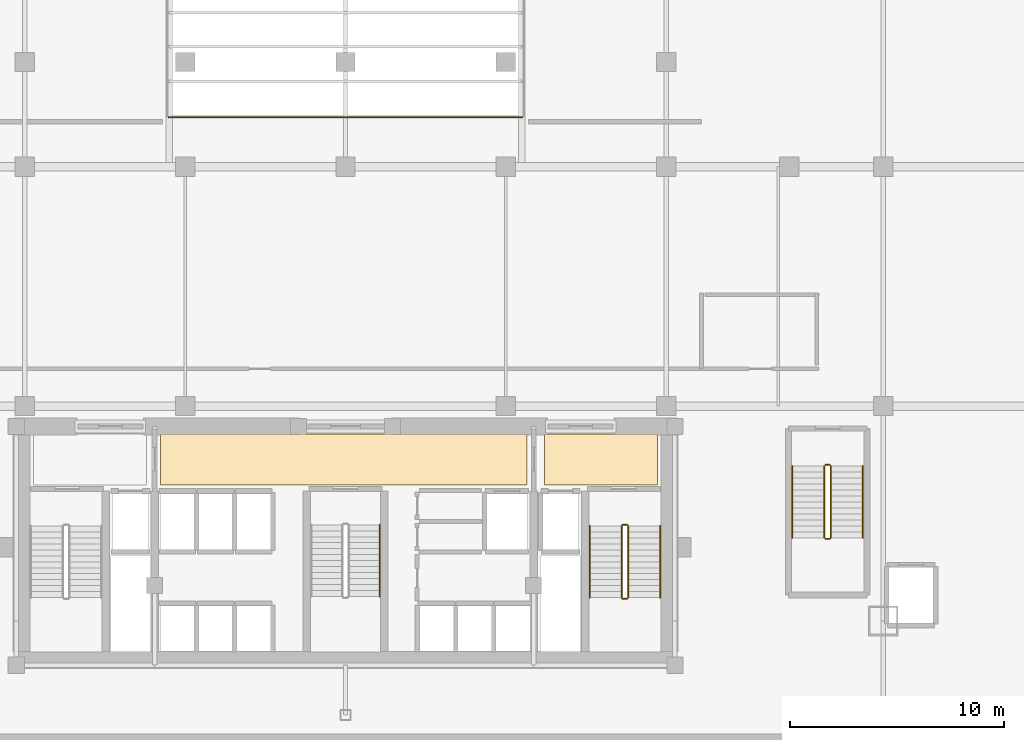
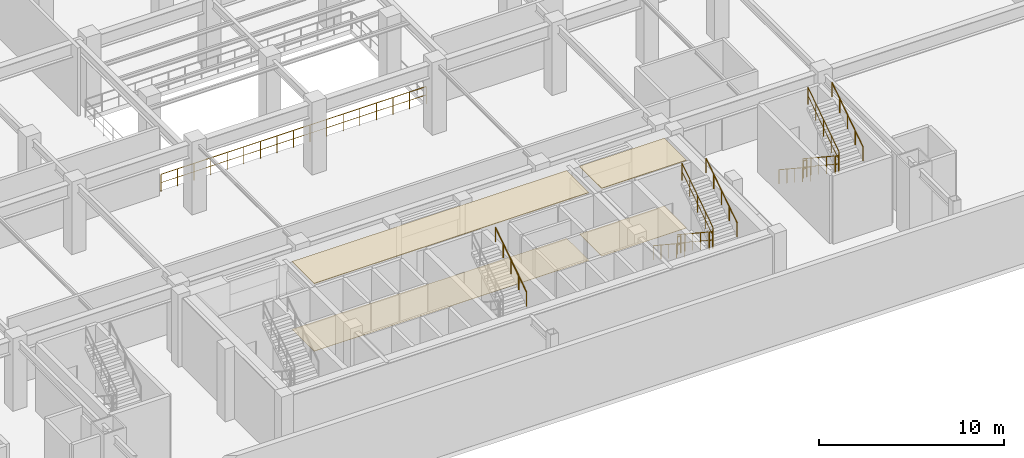
# One storey, part 9 of 10: 14 railings, 4 coverings.
"""IFC4 building model written with IfcOpenShell, lengths in metres."""

from ifc_helpers import new_model, si_unit, direction, frame, origin, origin_2d, place, context, subcontext, project, spatial, polyline, circle, outline, extrude, material, layer, layer_set, type_object, element, save


model = new_model("IFC4")

# Units and contexts
model_context = context("Model", 3, precision=1e-05, world=origin(), true_north=direction((0.0, 1.0)))
body_context = subcontext(model_context, "Body", "Model", "MODEL_VIEW")
ifc_project = project(units=[si_unit("LENGTHUNIT", "METRE"), si_unit("AREAUNIT", "SQUARE_METRE"), si_unit("VOLUMEUNIT", "CUBIC_METRE"), si_unit("PLANEANGLEUNIT", "RADIAN"), si_unit("MASSUNIT", "GRAM", prefix="KILO")], contexts=[model_context])

# Site, building, storey
site_placement = place(None, origin())
site = spatial("IfcSite", under=ifc_project, at=site_placement, CompositionType="ELEMENT")
building_placement = place(site_placement, origin())
building = spatial("IfcBuilding", under=site, at=building_placement, Name="Ventersveld Concourse Tower", CompositionType="ELEMENT")
storey_placement = place(building_placement, frame((0.0, 0.0, 15.0)))
storey = spatial("IfcBuildingStorey", under=building, at=storey_placement, Name="L03", CompositionType="ELEMENT", Elevation=15.0)

# Coverings
ifc_material_1 = material(Name="Mineral-fibre acoustic ceiling tile", Category="gypsum")
ifc_layer_1 = layer(ifc_material_1, 0.0400390625)
ifc_layer_set_1 = layer_set([ifc_layer_1], Name="Mineral-fibre acoustic ceiling tile")
covering_type_1 = type_object("IfcCoveringType", Name="COV-CEIL-ACOUSTIC", PredefinedType="CEILING", material=ifc_layer_set_1)
covering_1_placement = place(storey_placement, frame((0.0, 0.0, 4.4599609375)))
element("IfcCovering", 1, at=covering_1_placement, inside=storey, type_object=covering_type_1, Name="L03 North Lift Lobby Acoustic Ceiling", PredefinedType="CEILING", context=body_context, shape_type="SweptSolid", body=[
    extrude(outline(polyline([(20.10009765625, 8.699951171875), (37.25, 8.699951171875), (37.25, 11.10009765625), (20.10009765625, 11.10009765625), (20.10009765625, 8.699951171875)])), origin(), (0.0, 0.0, 1.0), 0.0400390625),
])
covering_2_placement = place(storey_placement, frame((0.0, 0.0, 4.4599609375)))
element("IfcCovering", 2, at=covering_2_placement, inside=storey, type_object=covering_type_1, Name="L03 East Firefighting Lobby Acoustic Ceiling", PredefinedType="CEILING", context=body_context, shape_type="SweptSolid", body=[
    extrude(outline(polyline([(38.050048828125, 8.699951171875), (43.35009765625, 8.699951171875), (43.35009765625, 11.10009765625), (38.050048828125, 11.10009765625), (38.050048828125, 8.699951171875)])), origin(), (0.0, 0.0, 1.0), 0.0400390625),
])
ifc_material_2 = material(Name="Polished Highveld granite terrazzo", Category="masonry")
ifc_layer_2 = layer(ifc_material_2, 0.02001953125)
ifc_layer_set_2 = layer_set([ifc_layer_2], Name="Polished Highveld granite terrazzo")
covering_type_2 = type_object("IfcCoveringType", Name="COV-FLOOR-TERRAZZO", PredefinedType="FLOORING", material=ifc_layer_set_2)
covering_3_placement = place(storey_placement, origin())
element("IfcCovering", 3, at=covering_3_placement, inside=storey, type_object=covering_type_2, Name="L03 North Lift Lobby Terrazzo Flooring", PredefinedType="FLOORING", context=body_context, shape_type="SweptSolid", body=[
    extrude(outline(polyline([(20.10009765625, 8.699951171875), (37.25, 8.699951171875), (37.25, 11.10009765625), (20.10009765625, 11.10009765625), (20.10009765625, 8.699951171875)])), origin(), (0.0, 0.0, 1.0), 0.02001953125),
])
covering_4_placement = place(storey_placement, origin())
element("IfcCovering", 4, at=covering_4_placement, inside=storey, type_object=covering_type_2, Name="L03 East Firefighting Lobby Terrazzo Flooring", PredefinedType="FLOORING", context=body_context, shape_type="SweptSolid", body=[
    extrude(outline(polyline([(38.050048828125, 8.699951171875), (43.35009765625, 8.699951171875), (43.35009765625, 11.10009765625), (38.050048828125, 11.10009765625), (38.050048828125, 8.699951171875)])), origin(), (0.0, 0.0, 1.0), 0.02001953125),
])

# Railings
ifc_material_3 = material(Name="Brushed stainless steel 316", Category="steel")
railing_type_1 = type_object("IfcRailingType", Name="GD-BAL-115", PredefinedType="GUARDRAIL", material=ifc_material_3)
railing_1_placement = place(storey_placement, frame((41.669921875, 6.800048828125, 0.1845703125)))
element("IfcRailing", 5, at=railing_1_placement, inside=storey, type_object=railing_type_1, Name="L03 ST-02 stair guard 1", PredefinedType="GUARDRAIL", context=body_context, shape_type="SweptSolid", body=[
    extrude(circle(Radius=0.02392578125, at=origin_2d()), frame((0.0, 0.0, 1.1259765625), z_axis=(0.0, -0.834876476806, 0.550437342915), x_axis=(1.0, 0.0, 0.0)), (0.0, 0.0, 1.0), 4.024658203125),
    extrude(circle(Radius=0.01611328125, at=origin_2d()), frame((0.0, 0.0, 0.574951171875), z_axis=(0.0, -0.834876476806, 0.550437342915), x_axis=(1.0, 0.0, 0.0)), (0.0, 0.0, 1.0), 4.024658203125),
    extrude(circle(Radius=0.02099609375, at=origin_2d()), origin(), (0.0, 0.0, 1.0), 1.101806640625),
    extrude(circle(Radius=0.02099609375, at=origin_2d()), frame((0.0, -0.840087890625, 0.5537109375)), (0.0, 0.0, 1.0), 1.101806640625),
    extrude(circle(Radius=0.02099609375, at=origin_2d()), frame((0.0, -1.68017578125, 1.107666015625)), (0.0, 0.0, 1.0), 1.101806640625),
    extrude(circle(Radius=0.02099609375, at=origin_2d()), frame((0.0, -2.52001953125, 1.66162109375)), (0.0, 0.0, 1.0), 1.101806640625),
    extrude(circle(Radius=0.02099609375, at=origin_2d()), frame((0.0, -3.360107421875, 2.21533203125)), (0.0, 0.0, 1.0), 1.101806640625),
])
railing_2_placement = place(storey_placement, frame((41.719970703125, 3.389892578125, 2.39990234375)))
element("IfcRailing", 6, at=railing_2_placement, inside=storey, type_object=railing_type_1, Name="L03 ST-02 stair guard 2", PredefinedType="GUARDRAIL", context=body_context, shape_type="SweptSolid", body=[
    extrude(circle(Radius=0.02392578125, at=origin_2d()), frame((0.0, 0.0, 1.1259765625), z_axis=(1.0, 0.0, 0.0), x_axis=(0.0, 1.0, 0.0)), (0.0, 0.0, 1.0), 0.199951171875),
    extrude(circle(Radius=0.01611328125, at=origin_2d()), frame((0.0, 0.0, 0.574951171875), z_axis=(1.0, 0.0, 0.0), x_axis=(0.0, 1.0, 0.0)), (0.0, 0.0, 1.0), 0.199951171875),
    extrude(circle(Radius=0.02099609375, at=origin_2d()), origin(), (0.0, 0.0, 1.0), 1.101806640625),
    extrude(circle(Radius=0.02099609375, at=origin_2d()), frame((0.199951171875, 0.0, 0.0)), (0.0, 0.0, 1.0), 1.101806640625),
])
railing_3_placement = place(storey_placement, frame((41.969970703125, 3.43994140625, 2.584716796875)))
element("IfcRailing", 7, at=railing_3_placement, inside=storey, type_object=railing_type_1, Name="L03 ST-02 stair guard 3", PredefinedType="GUARDRAIL", context=body_context, shape_type="SweptSolid", body=[
    extrude(circle(Radius=0.02392578125, at=origin_2d()), frame((0.0, 0.0, 1.1259765625), z_axis=(0.0, 0.834876476806, 0.550437342915), x_axis=(-1.0, 0.0, 0.0)), (0.0, 0.0, 1.0), 4.024658203125),
    extrude(circle(Radius=0.01611328125, at=origin_2d()), frame((0.0, 0.0, 0.574951171875), z_axis=(0.0, 0.834876476806, 0.550437342915), x_axis=(-1.0, 0.0, 0.0)), (0.0, 0.0, 1.0), 4.024658203125),
    extrude(circle(Radius=0.02099609375, at=origin_2d()), origin(), (0.0, 0.0, 1.0), 1.101806640625),
    extrude(circle(Radius=0.02099609375, at=origin_2d()), frame((0.0, 0.840087890625, 0.5537109375)), (0.0, 0.0, 1.0), 1.101806640625),
    extrude(circle(Radius=0.02099609375, at=origin_2d()), frame((0.0, 1.68017578125, 1.107666015625)), (0.0, 0.0, 1.0), 1.101806640625),
    extrude(circle(Radius=0.02099609375, at=origin_2d()), frame((0.0, 2.52001953125, 1.66162109375)), (0.0, 0.0, 1.0), 1.101806640625),
    extrude(circle(Radius=0.02099609375, at=origin_2d()), frame((0.0, 3.360107421875, 2.21533203125)), (0.0, 0.0, 1.0), 1.101806640625),
])
railing_4_placement = place(storey_placement, frame((41.719970703125, 6.85009765625, 0.0)))
element("IfcRailing", 8, at=railing_4_placement, inside=storey, type_object=railing_type_1, Name="L03 ST-02 stair guard 4", PredefinedType="GUARDRAIL", context=body_context, shape_type="SweptSolid", body=[
    extrude(circle(Radius=0.02392578125, at=origin_2d()), frame((0.0, 0.0, 1.1259765625), z_axis=(1.0, 0.0, 0.0), x_axis=(0.0, 1.0, 0.0)), (0.0, 0.0, 1.0), 0.199951171875),
    extrude(circle(Radius=0.01611328125, at=origin_2d()), frame((0.0, 0.0, 0.574951171875), z_axis=(1.0, 0.0, 0.0), x_axis=(0.0, 1.0, 0.0)), (0.0, 0.0, 1.0), 0.199951171875),
    extrude(circle(Radius=0.02099609375, at=origin_2d()), origin(), (0.0, 0.0, 1.0), 1.101806640625),
    extrude(circle(Radius=0.02099609375, at=origin_2d()), frame((0.199951171875, 0.0, 0.0)), (0.0, 0.0, 1.0), 1.101806640625),
])
railing_5_placement = place(storey_placement, frame((51.14990234375, 9.60009765625, 0.1845703125)))
element("IfcRailing", 9, at=railing_5_placement, inside=storey, type_object=railing_type_1, Name="L03 ST-05 stair guard 1", PredefinedType="GUARDRAIL", context=body_context, shape_type="SweptSolid", body=[
    extrude(circle(Radius=0.02392578125, at=origin_2d()), frame((0.0, 0.0, 1.1259765625), z_axis=(0.0, -0.834876476806, 0.550437342915), x_axis=(1.0, 0.0, 0.0)), (0.0, 0.0, 1.0), 4.024658203125),
    extrude(circle(Radius=0.01611328125, at=origin_2d()), frame((0.0, 0.0, 0.574951171875), z_axis=(0.0, -0.834876476806, 0.550437342915), x_axis=(1.0, 0.0, 0.0)), (0.0, 0.0, 1.0), 4.024658203125),
    extrude(circle(Radius=0.02099609375, at=origin_2d()), origin(), (0.0, 0.0, 1.0), 1.101806640625),
    extrude(circle(Radius=0.02099609375, at=origin_2d()), frame((0.0, -0.840087890625, 0.5537109375)), (0.0, 0.0, 1.0), 1.101806640625),
    extrude(circle(Radius=0.02099609375, at=origin_2d()), frame((0.0, -1.68017578125, 1.107666015625)), (0.0, 0.0, 1.0), 1.101806640625),
    extrude(circle(Radius=0.02099609375, at=origin_2d()), frame((0.0, -2.52001953125, 1.66162109375)), (0.0, 0.0, 1.0), 1.101806640625),
    extrude(circle(Radius=0.02099609375, at=origin_2d()), frame((0.0, -3.360107421875, 2.21533203125)), (0.0, 0.0, 1.0), 1.101806640625),
])
railing_6_placement = place(storey_placement, frame((51.199951171875, 6.18994140625, 2.39990234375)))
element("IfcRailing", 10, at=railing_6_placement, inside=storey, type_object=railing_type_1, Name="L03 ST-05 stair guard 2", PredefinedType="GUARDRAIL", context=body_context, shape_type="SweptSolid", body=[
    extrude(circle(Radius=0.02392578125, at=origin_2d()), frame((0.0, 0.0, 1.1259765625), z_axis=(1.0, 0.0, 0.0), x_axis=(0.0, 1.0, 0.0)), (0.0, 0.0, 1.0), 0.199951171875),
    extrude(circle(Radius=0.01611328125, at=origin_2d()), frame((0.0, 0.0, 0.574951171875), z_axis=(1.0, 0.0, 0.0), x_axis=(0.0, 1.0, 0.0)), (0.0, 0.0, 1.0), 0.199951171875),
    extrude(circle(Radius=0.02099609375, at=origin_2d()), origin(), (0.0, 0.0, 1.0), 1.101806640625),
    extrude(circle(Radius=0.02099609375, at=origin_2d()), frame((0.199951171875, 0.0, 0.0)), (0.0, 0.0, 1.0), 1.101806640625),
])
railing_7_placement = place(storey_placement, frame((51.449951171875, 6.239990234375, 2.584716796875)))
element("IfcRailing", 11, at=railing_7_placement, inside=storey, type_object=railing_type_1, Name="L03 ST-05 stair guard 3", PredefinedType="GUARDRAIL", context=body_context, shape_type="SweptSolid", body=[
    extrude(circle(Radius=0.02392578125, at=origin_2d()), frame((0.0, 0.0, 1.1259765625), z_axis=(0.0, 0.834876476806, 0.550437342915), x_axis=(-1.0, 0.0, 0.0)), (0.0, 0.0, 1.0), 4.024658203125),
    extrude(circle(Radius=0.01611328125, at=origin_2d()), frame((0.0, 0.0, 0.574951171875), z_axis=(0.0, 0.834876476806, 0.550437342915), x_axis=(-1.0, 0.0, 0.0)), (0.0, 0.0, 1.0), 4.024658203125),
    extrude(circle(Radius=0.02099609375, at=origin_2d()), origin(), (0.0, 0.0, 1.0), 1.101806640625),
    extrude(circle(Radius=0.02099609375, at=origin_2d()), frame((0.0, 0.840087890625, 0.5537109375)), (0.0, 0.0, 1.0), 1.101806640625),
    extrude(circle(Radius=0.02099609375, at=origin_2d()), frame((0.0, 1.68017578125, 1.107666015625)), (0.0, 0.0, 1.0), 1.101806640625),
    extrude(circle(Radius=0.02099609375, at=origin_2d()), frame((0.0, 2.52001953125, 1.66162109375)), (0.0, 0.0, 1.0), 1.101806640625),
    extrude(circle(Radius=0.02099609375, at=origin_2d()), frame((0.0, 3.360107421875, 2.21533203125)), (0.0, 0.0, 1.0), 1.101806640625),
])
railing_8_placement = place(storey_placement, frame((51.199951171875, 9.64990234375, 0.0)))
element("IfcRailing", 12, at=railing_8_placement, inside=storey, type_object=railing_type_1, Name="L03 ST-05 stair guard 4", PredefinedType="GUARDRAIL", context=body_context, shape_type="SweptSolid", body=[
    extrude(circle(Radius=0.02392578125, at=origin_2d()), frame((0.0, 0.0, 1.1259765625), z_axis=(1.0, 0.0, 0.0), x_axis=(0.0, 1.0, 0.0)), (0.0, 0.0, 1.0), 0.199951171875),
    extrude(circle(Radius=0.01611328125, at=origin_2d()), frame((0.0, 0.0, 0.574951171875), z_axis=(1.0, 0.0, 0.0), x_axis=(0.0, 1.0, 0.0)), (0.0, 0.0, 1.0), 0.199951171875),
    extrude(circle(Radius=0.02099609375, at=origin_2d()), origin(), (0.0, 0.0, 1.0), 1.101806640625),
    extrude(circle(Radius=0.02099609375, at=origin_2d()), frame((0.199951171875, 0.0, 0.0)), (0.0, 0.0, 1.0), 1.101806640625),
])
railing_9_placement = place(storey_placement, frame((20.469970703125, 25.919921875, 0.0)))
element("IfcRailing", 13, at=railing_9_placement, inside=storey, type_object=railing_type_1, Name="L03 Podium Concourse Atrium Guardrail S", PredefinedType="GUARDRAIL", context=body_context, shape_type="SweptSolid", body=[
    extrude(circle(Radius=0.02392578125, at=origin_2d()), frame((0.0, 0.0, 1.1259765625), z_axis=(1.0, 0.0, 0.0), x_axis=(0.0, 1.0, 0.0)), (0.0, 0.0, 1.0), 16.56005859375),
    extrude(circle(Radius=0.01611328125, at=origin_2d()), frame((0.0, 0.0, 0.574951171875), z_axis=(1.0, 0.0, 0.0), x_axis=(0.0, 1.0, 0.0)), (0.0, 0.0, 1.0), 16.56005859375),
    extrude(circle(Radius=0.02099609375, at=origin_2d()), origin(), (0.0, 0.0, 1.0), 1.101806640625),
    extrude(circle(Radius=0.02099609375, at=origin_2d()), frame((1.034912109375, 0.0, 0.0)), (0.0, 0.0, 1.0), 1.101806640625),
    extrude(circle(Radius=0.02099609375, at=origin_2d()), frame((2.070068359375, 0.0, 0.0)), (0.0, 0.0, 1.0), 1.101806640625),
    extrude(circle(Radius=0.02099609375, at=origin_2d()), frame((3.10498046875, 0.0, 0.0)), (0.0, 0.0, 1.0), 1.101806640625),
    extrude(circle(Radius=0.02099609375, at=origin_2d()), frame((4.14013671875, 0.0, 0.0)), (0.0, 0.0, 1.0), 1.101806640625),
    extrude(circle(Radius=0.02099609375, at=origin_2d()), frame((5.175048828125, 0.0, 0.0)), (0.0, 0.0, 1.0), 1.101806640625),
    extrude(circle(Radius=0.02099609375, at=origin_2d()), frame((6.2099609375, 0.0, 0.0)), (0.0, 0.0, 1.0), 1.101806640625),
    extrude(circle(Radius=0.02099609375, at=origin_2d()), frame((7.2451171875, 0.0, 0.0)), (0.0, 0.0, 1.0), 1.101806640625),
    extrude(circle(Radius=0.02099609375, at=origin_2d()), frame((8.280029296875, 0.0, 0.0)), (0.0, 0.0, 1.0), 1.101806640625),
    extrude(circle(Radius=0.02099609375, at=origin_2d()), frame((9.31494140625, 0.0, 0.0)), (0.0, 0.0, 1.0), 1.101806640625),
    extrude(circle(Radius=0.02099609375, at=origin_2d()), frame((10.35009765625, 0.0, 0.0)), (0.0, 0.0, 1.0), 1.101806640625),
    extrude(circle(Radius=0.02099609375, at=origin_2d()), frame((11.385009765625, 0.0, 0.0)), (0.0, 0.0, 1.0), 1.101806640625),
    extrude(circle(Radius=0.02099609375, at=origin_2d()), frame((12.419921875, 0.0, 0.0)), (0.0, 0.0, 1.0), 1.101806640625),
    extrude(circle(Radius=0.02099609375, at=origin_2d()), frame((13.455078125, 0.0, 0.0)), (0.0, 0.0, 1.0), 1.101806640625),
    extrude(circle(Radius=0.02099609375, at=origin_2d()), frame((14.489990234375, 0.0, 0.0)), (0.0, 0.0, 1.0), 1.101806640625),
    extrude(circle(Radius=0.02099609375, at=origin_2d()), frame((15.525146484375, 0.0, 0.0)), (0.0, 0.0, 1.0), 1.101806640625),
    extrude(circle(Radius=0.02099609375, at=origin_2d()), frame((16.56005859375, 0.0, 0.0)), (0.0, 0.0, 1.0), 1.101806640625),
])
railing_type_2 = type_object("IfcRailingType", Name="HR-RMP-095", PredefinedType="HANDRAIL", material=ifc_material_3)
railing_10_placement = place(storey_placement, frame((40.169921875, 6.800048828125, 0.1845703125)))
element("IfcRailing", 14, at=railing_10_placement, inside=storey, type_object=railing_type_2, Name="L03 ST-02 stair handrail 1", PredefinedType="HANDRAIL", context=body_context, shape_type="SweptSolid", body=[
    extrude(circle(Radius=0.02392578125, at=origin_2d()), frame((0.0, 0.0, 0.92578125), z_axis=(0.0, -0.834876476806, 0.550437342915), x_axis=(1.0, 0.0, 0.0)), (0.0, 0.0, 1.0), 4.024658203125),
    extrude(circle(Radius=0.02099609375, at=origin_2d()), origin(), (0.0, 0.0, 1.0), 0.90185546875),
    extrude(circle(Radius=0.02099609375, at=origin_2d()), frame((0.0, -0.840087890625, 0.5537109375)), (0.0, 0.0, 1.0), 0.90185546875),
    extrude(circle(Radius=0.02099609375, at=origin_2d()), frame((0.0, -1.68017578125, 1.107666015625)), (0.0, 0.0, 1.0), 0.90185546875),
    extrude(circle(Radius=0.02099609375, at=origin_2d()), frame((0.0, -2.52001953125, 1.66162109375)), (0.0, 0.0, 1.0), 0.90185546875),
    extrude(circle(Radius=0.02099609375, at=origin_2d()), frame((0.0, -3.360107421875, 2.21533203125)), (0.0, 0.0, 1.0), 0.90185546875),
])
for number, where, name in (
    (15, (43.469970703125, 3.43994140625, 2.584716796875), "L03 ST-02 stair handrail 2"),
    (16, (30.35009765625, 3.489990234375, 2.584716796875), "L03 ST-03 stair handrail 2"),
):
    element("IfcRailing", number, at=place(storey_placement, frame(where)), inside=storey, type_object=railing_type_2, Name=name, PredefinedType="HANDRAIL", context=body_context, shape_type="SweptSolid", body=[
        extrude(circle(Radius=0.02392578125, at=origin_2d()), frame((0.0, 0.0, 0.92578125), z_axis=(0.0, 0.834876476806, 0.550437342915), x_axis=(-1.0, 0.0, 0.0)), (0.0, 0.0, 1.0), 4.024658203125),
        extrude(circle(Radius=0.02099609375, at=origin_2d()), origin(), (0.0, 0.0, 1.0), 0.90185546875),
        extrude(circle(Radius=0.02099609375, at=origin_2d()), frame((0.0, 0.840087890625, 0.5537109375)), (0.0, 0.0, 1.0), 0.90185546875),
        extrude(circle(Radius=0.02099609375, at=origin_2d()), frame((0.0, 1.68017578125, 1.107666015625)), (0.0, 0.0, 1.0), 0.90185546875),
        extrude(circle(Radius=0.02099609375, at=origin_2d()), frame((0.0, 2.52001953125, 1.66162109375)), (0.0, 0.0, 1.0), 0.90185546875),
        extrude(circle(Radius=0.02099609375, at=origin_2d()), frame((0.0, 3.360107421875, 2.21533203125)), (0.0, 0.0, 1.0), 0.90185546875),
    ])
railing_11_placement = place(storey_placement, frame((49.64990234375, 9.60009765625, 0.1845703125)))
element("IfcRailing", 17, at=railing_11_placement, inside=storey, type_object=railing_type_2, Name="L03 ST-05 stair handrail 1", PredefinedType="HANDRAIL", context=body_context, shape_type="SweptSolid", body=[
    extrude(circle(Radius=0.02392578125, at=origin_2d()), frame((0.0, 0.0, 0.92578125), z_axis=(0.0, -0.834876476806, 0.550437342915), x_axis=(1.0, 0.0, 0.0)), (0.0, 0.0, 1.0), 4.024658203125),
    extrude(circle(Radius=0.02099609375, at=origin_2d()), origin(), (0.0, 0.0, 1.0), 0.90185546875),
    extrude(circle(Radius=0.02099609375, at=origin_2d()), frame((0.0, -0.840087890625, 0.5537109375)), (0.0, 0.0, 1.0), 0.90185546875),
    extrude(circle(Radius=0.02099609375, at=origin_2d()), frame((0.0, -1.68017578125, 1.107666015625)), (0.0, 0.0, 1.0), 0.90185546875),
    extrude(circle(Radius=0.02099609375, at=origin_2d()), frame((0.0, -2.52001953125, 1.66162109375)), (0.0, 0.0, 1.0), 0.90185546875),
    extrude(circle(Radius=0.02099609375, at=origin_2d()), frame((0.0, -3.360107421875, 2.21533203125)), (0.0, 0.0, 1.0), 0.90185546875),
])
railing_12_placement = place(storey_placement, frame((52.949951171875, 6.239990234375, 2.584716796875)))
element("IfcRailing", 18, at=railing_12_placement, inside=storey, type_object=railing_type_2, Name="L03 ST-05 stair handrail 2", PredefinedType="HANDRAIL", context=body_context, shape_type="SweptSolid", body=[
    extrude(circle(Radius=0.02392578125, at=origin_2d()), frame((0.0, 0.0, 0.92578125), z_axis=(0.0, 0.834876476806, 0.550437342915), x_axis=(-1.0, 0.0, 0.0)), (0.0, 0.0, 1.0), 4.024658203125),
    extrude(circle(Radius=0.02099609375, at=origin_2d()), origin(), (0.0, 0.0, 1.0), 0.90185546875),
    extrude(circle(Radius=0.02099609375, at=origin_2d()), frame((0.0, 0.840087890625, 0.5537109375)), (0.0, 0.0, 1.0), 0.90185546875),
    extrude(circle(Radius=0.02099609375, at=origin_2d()), frame((0.0, 1.68017578125, 1.107666015625)), (0.0, 0.0, 1.0), 0.90185546875),
    extrude(circle(Radius=0.02099609375, at=origin_2d()), frame((0.0, 2.52001953125, 1.66162109375)), (0.0, 0.0, 1.0), 0.90185546875),
    extrude(circle(Radius=0.02099609375, at=origin_2d()), frame((0.0, 3.360107421875, 2.21533203125)), (0.0, 0.0, 1.0), 0.90185546875),
])

save(model, "model.ifc")
